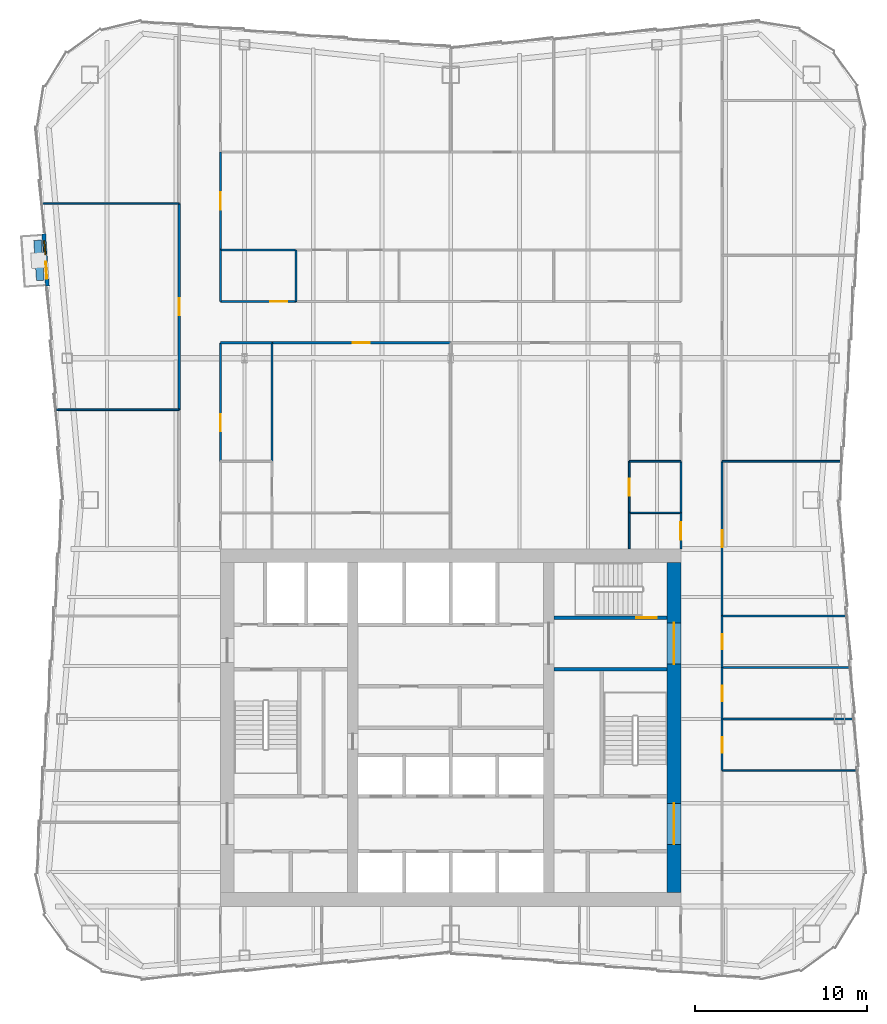
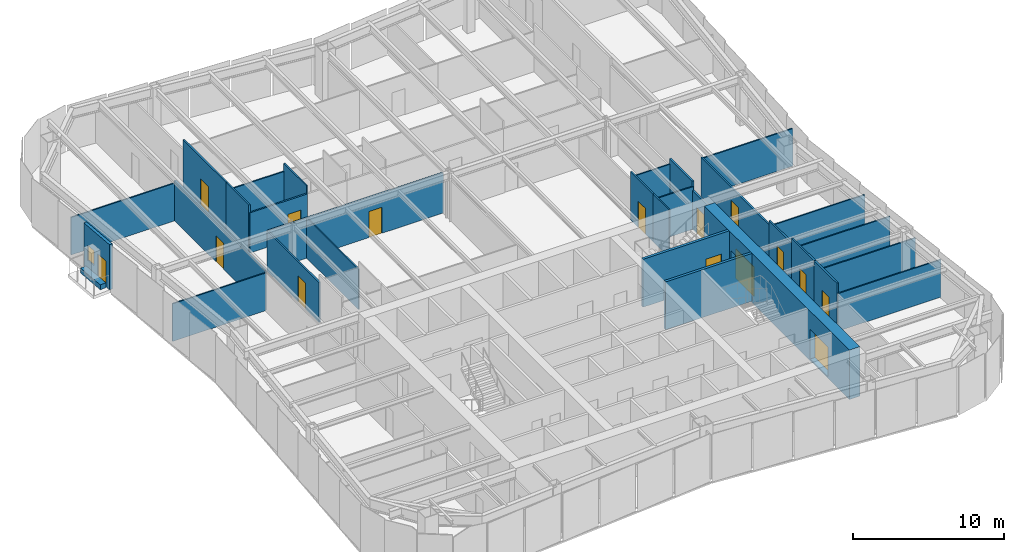
# One storey, part 8 of 12: 32 walls, 15 doors, 1 window, 16 openings.
"""IFC4 building model written with IfcOpenShell, lengths in metres."""

from ifc_helpers import new_model, si_unit, direction, frame, frame_2d, origin, place, context, subcontext, project, spatial, rectangle, extrude, material, layer, layer_set, type_object, element, fill, save


model = new_model("IFC4")

# Units and contexts
model_context = context("Model", 3, precision=1e-05, world=origin(), true_north=direction((0.0, 1.0)))
body_context = subcontext(model_context, "Body", "Model", "MODEL_VIEW")
ifc_project = project(units=[si_unit("LENGTHUNIT", "METRE"), si_unit("AREAUNIT", "SQUARE_METRE"), si_unit("VOLUMEUNIT", "CUBIC_METRE"), si_unit("PLANEANGLEUNIT", "RADIAN"), si_unit("MASSUNIT", "GRAM", prefix="KILO")], contexts=[model_context])

# Site, building, storey
site_placement = place(None, origin())
site = spatial("IfcSite", under=ifc_project, at=site_placement, CompositionType="ELEMENT")
building_placement = place(site_placement, origin())
building = spatial("IfcBuilding", under=site, at=building_placement, Name="Verdant Reach Tower", CompositionType="ELEMENT")
storey_placement = place(building_placement, frame((0.0, 0.0, 246.0)))
storey = spatial("IfcBuildingStorey", under=building, at=storey_placement, Name="L56", CompositionType="ELEMENT", Elevation=246.0)

# Wall
ifc_material_1 = material(Name="Concrete C40/50", Category="concrete")
ifc_layer_1 = layer(ifc_material_1, 0.199951171875)
ifc_layer_set_1 = layer_set([ifc_layer_1], Name="CO-WALL-STAIR")
wall_type_1 = type_object("IfcWallType", Name="CO-WALL-STAIR", PredefinedType="PARTITIONING", material=ifc_layer_set_1)
wall_1_placement = place(storey_placement, frame((6.0, 31.39990234375, 0.0), z_axis=(0.0, 0.0, 1.0), x_axis=(1.0, 0.0, 0.0)))
element("IfcWall", 1, at=wall_1_placement, inside=storey, type_object=wall_type_1, Name="Stair enclosure wall, L56", PredefinedType="PARTITIONING", context=body_context, shape_type="SweptSolid", body=[
    extrude(rectangle(XDim=6.60009765625, YDim=0.199951171875, at=frame_2d((3.300048828125, 0.0))), origin(), (0.0, 0.0, 1.0), 3.8701171875),
])

# Wall, opening, door
wall_2_placement = place(storey_placement, frame((6.0, 34.39990234375, 0.0), z_axis=(0.0, 0.0, 1.0), x_axis=(1.0, 0.0, 0.0)))
wall_2 = element("IfcWall", 2, at=wall_2_placement, inside=storey, type_object=wall_type_1, Name="Stair enclosure wall, L56", PredefinedType="PARTITIONING", context=body_context, shape_type="SweptSolid", body=[
    extrude(rectangle(XDim=6.60009765625, YDim=0.199951171875, at=frame_2d((3.300048828125, 0.0))), origin(), (0.0, 0.0, 1.0), 3.8701171875),
])
opening_1_placement = place(wall_2_placement, frame((4.800048828125, 0.0, 0.0)))
opening_1 = element("IfcOpeningElement", 3, at=opening_1_placement, cuts=wall_2, Name="Opening SD", PredefinedType="OPENING", context=body_context, shape_type="SweptSolid", body=[
    extrude(rectangle(XDim=1.199951171875, YDim=2.199951171875, at=frame_2d((0.60009765625, 1.10009765625))), frame((0.0, 0.10986328125, 0.0), z_axis=(0.0, -1.0, 0.0), x_axis=(1.0, 0.0, 0.0)), (0.0, 0.0, 1.0), 0.219970703125),
])
ifc_material_2 = material(Name="Steel", Category="steel")
door_type_1 = type_object("IfcDoorType", Name="CO-DOOR-STAIR", OperationType="NOTDEFINED", PredefinedType="DOOR", material=ifc_material_2)
door_1_placement = place(opening_1_placement, origin())
door_1 = element("IfcDoor", 4, at=door_1_placement, inside=storey, type_object=door_type_1, Name="Stair door, L56", OperationType="SINGLE_SWING_RIGHT", OverallHeight=2.199951171875, OverallWidth=1.199951171875, PredefinedType="DOOR", context=body_context, shape_type="SweptSolid", body=[
    extrude(rectangle(XDim=1.199951171875, YDim=2.199951171875, at=frame_2d((0.60009765625, 1.10009765625))), frame((0.0, 0.02490234375, 0.0), z_axis=(0.0, -1.0, 0.0), x_axis=(1.0, 0.0, 0.0)), (0.0, 0.0, 1.0), 0.050048828125),
])
fill(opening_1, door_1)

# Wall, openings, door, window
ifc_material_3 = material(Name="Insulated bronze aluminium panel wall", Category="aluminium")
ifc_layer_2 = layer(ifc_material_3, 0.219970703125)
ifc_layer_set_2 = layer_set([ifc_layer_2], Name="EN-INFILL WALL")
wall_type_2 = type_object("IfcWallType", Name="EN-INFILL WALL", PredefinedType="SOLIDWALL", material=ifc_layer_set_2)
wall_3_placement = place(storey_placement, frame((-23.680908203125, 56.744140625, 0.0), z_axis=(0.0, 0.0, 1.0), x_axis=(0.068837845086, -0.997627862023, 0.0)))
wall_3 = element("IfcWall", 5, at=wall_3_placement, inside=storey, type_object=wall_type_2, Name="External infill wall, balcony bay 1, L56", PredefinedType="SOLIDWALL", context=body_context, shape_type="SweptSolid", body=[
    extrude(rectangle(XDim=3.046630859375, YDim=0.22412109375, at=frame_2d((1.5234375, 0.0))), origin(), (0.0, 0.0, 1.0), 3.64990234375),
])
opening_2_placement = place(wall_3_placement, frame((1.631103515625, 0.0, 0.0)))
opening_2 = element("IfcOpeningElement", 6, at=opening_2_placement, cuts=wall_3, Name="Opening BD1", PredefinedType="OPENING", context=body_context, shape_type="SweptSolid", body=[
    extrude(rectangle(XDim=1.0, YDim=2.10009765625, at=frame_2d((0.5, 1.050048828125))), frame((0.0, 0.1220703125, 0.0), z_axis=(0.0, -1.0, 0.0), x_axis=(1.0, 0.0, 0.0)), (0.0, 0.0, 1.0), 0.244140625),
])
opening_3_placement = place(wall_3_placement, frame((0.41552734375, 0.0, 0.89990234375)))
opening_3 = element("IfcOpeningElement", 7, at=opening_3_placement, cuts=wall_3, Name="Opening BW1", PredefinedType="OPENING", context=body_context, shape_type="SweptSolid", body=[
    extrude(rectangle(XDim=0.800048828125, YDim=1.199951171875, at=frame_2d((0.39990234375, 0.60009765625))), frame((0.0, 0.1220703125, 0.0), z_axis=(0.0, -1.0, 0.0), x_axis=(1.0, 0.0, 0.0)), (0.0, 0.0, 1.0), 0.244140625),
])
ifc_material_4 = material(Name="Aluminium framed glazed door", Category="aluminium")
door_type_2 = type_object("IfcDoorType", Name="EN-DOOR BALCONY", OperationType="NOTDEFINED", PredefinedType="DOOR", material=ifc_material_4)
door_2_placement = place(opening_2_placement, origin())
door_2 = element("IfcDoor", 8, at=door_2_placement, inside=storey, type_object=door_type_2, Name="Balcony door 1, L56", OperationType="SINGLE_SWING_RIGHT", OverallHeight=2.10009765625, OverallWidth=1.0, PredefinedType="DOOR", context=body_context, shape_type="SweptSolid", body=[
    extrude(rectangle(XDim=1.0, YDim=2.10009765625, at=frame_2d((0.5, 1.050048828125))), frame((0.0, 0.02490234375, 0.0), z_axis=(0.0, -1.0, 0.0), x_axis=(1.0, 0.0, 0.0)), (0.0, 0.0, 1.0), 0.050048828125),
])
fill(opening_2, door_2)
ifc_material_5 = material(Name="Aluminium framed glazing", Category="aluminium")
window_type = type_object("IfcWindowType", Name="EN-WINDOW BALCONY", PartitioningType="SINGLE_PANEL", PredefinedType="WINDOW", material=ifc_material_5)
window_placement = place(opening_3_placement, origin())
window = element("IfcWindow", 9, at=window_placement, inside=storey, type_object=window_type, Name="Balcony window 1, L56", OverallHeight=1.199951171875, OverallWidth=0.800048828125, PartitioningType="SINGLE_PANEL", PredefinedType="WINDOW", context=body_context, shape_type="SweptSolid", body=[
    extrude(rectangle(XDim=0.800048828125, YDim=1.199951171875, at=frame_2d((0.39990234375, 0.60009765625))), frame((0.0, 0.030029296875, 0.0), z_axis=(0.0, -1.0, 0.0), x_axis=(1.0, 0.0, 0.0)), (0.0, 0.0, 1.0), 0.06005859375),
])
fill(opening_3, window)

# Walls
ifc_material_6 = material(Name="Precast concrete C30/37", Category="concrete")
ifc_layer_3 = layer(ifc_material_6, 0.449951171875)
ifc_layer_set_3 = layer_set([ifc_layer_3], Name="EN-PLANTER")
wall_type_3 = type_object("IfcWallType", Name="EN-PLANTER", PredefinedType="USERDEFINED", material=ifc_layer_set_3)
wall_4_placement = place(storey_placement, frame((-24.042724609375, 56.368408203125, 0.0), z_axis=(0.0, 0.0, 1.0), x_axis=(0.068769956374, -0.997632544127, 0.0)))
element("IfcWall", 10, at=wall_4_placement, inside=storey, type_object=wall_type_3, Name="Balcony planter 1, L56", ObjectType="PLANTER", PredefinedType="USERDEFINED", context=body_context, shape_type="SweptSolid", body=[
    extrude(rectangle(XDim=2.3466796875, YDim=0.449951171875, at=frame_2d((1.17333984375, 0.0))), origin(), (0.0, 0.0, 1.0), 0.39990234375),
])
ifc_material_7 = material(Name="Gypsum board on steel studs", Category="steel")
ifc_layer_4 = layer(ifc_material_7, 0.10009765625)
ifc_layer_set_4 = layer_set([ifc_layer_4], Name="FL-W1 Partition 100")
wall_type_4 = type_object("IfcWallType", Name="FL-W1 Partition 100", PredefinedType="PARTITIONING", material=ifc_layer_set_4)
wall_5_placement = place(storey_placement, frame((-15.800048828125, 46.5, 0.0), z_axis=(0.0, 0.0, 1.0), x_axis=(-1.0, 0.0, 0.0)))
element("IfcWall", 11, at=wall_5_placement, inside=storey, type_object=wall_type_4, Name="Partition 56.41", PredefinedType="PARTITIONING", context=body_context, shape_type="SweptSolid", body=[
    extrude(rectangle(XDim=7.14208984375, YDim=0.10009765625, at=frame_2d((3.571044921875, 0.0))), origin(), (0.0, 0.0, 1.0), 3.0400390625),
])
wall_6_placement = place(storey_placement, frame((-15.800048828125, 58.5, 0.0), z_axis=(0.0, 0.0, 1.0), x_axis=(-1.0, 0.0, 0.0)))
element("IfcWall", 12, at=wall_6_placement, inside=storey, type_object=wall_type_4, Name="Partition 56.42", PredefinedType="PARTITIONING", context=body_context, shape_type="SweptSolid", body=[
    extrude(rectangle(XDim=7.9697265625, YDim=0.10009765625, at=frame_2d((3.98486328125, 0.0))), origin(), (0.0, 0.0, 1.0), 3.0400390625),
])
wall_7_placement = place(storey_placement, frame((23.666259765625, 25.5, 0.0), z_axis=(0.0, 0.0, 1.0), x_axis=(-1.0, 0.0, 0.0)))
element("IfcWall", 13, at=wall_7_placement, inside=storey, type_object=wall_type_4, Name="Partition 56.43", PredefinedType="PARTITIONING", context=body_context, shape_type="SweptSolid", body=[
    extrude(rectangle(XDim=7.8662109375, YDim=0.10009765625, at=frame_2d((3.93310546875, 0.0))), origin(), (0.0, 0.0, 1.0), 3.0400390625),
])
wall_8_placement = place(storey_placement, frame((23.459228515625, 28.5, 0.0), z_axis=(0.0, 0.0, 1.0), x_axis=(-1.0, 0.0, 0.0)))
element("IfcWall", 14, at=wall_8_placement, inside=storey, type_object=wall_type_4, Name="Partition 56.44", PredefinedType="PARTITIONING", context=body_context, shape_type="SweptSolid", body=[
    extrude(rectangle(XDim=7.6591796875, YDim=0.10009765625, at=frame_2d((3.82958984375, 0.0))), origin(), (0.0, 0.0, 1.0), 3.0400390625),
])
wall_9_placement = place(storey_placement, frame((23.25244140625, 31.5, 0.0), z_axis=(0.0, 0.0, 1.0), x_axis=(-1.0, 0.0, 0.0)))
element("IfcWall", 15, at=wall_9_placement, inside=storey, type_object=wall_type_4, Name="Partition 56.45", PredefinedType="PARTITIONING", context=body_context, shape_type="SweptSolid", body=[
    extrude(rectangle(XDim=7.452392578125, YDim=0.10009765625, at=frame_2d((3.72607421875, 0.0))), origin(), (0.0, 0.0, 1.0), 3.0400390625),
])
wall_10_placement = place(storey_placement, frame((23.04541015625, 34.5, 0.0), z_axis=(0.0, 0.0, 1.0), x_axis=(-1.0, 0.0, 0.0)))
element("IfcWall", 16, at=wall_10_placement, inside=storey, type_object=wall_type_4, Name="Partition 56.46", PredefinedType="PARTITIONING", context=body_context, shape_type="SweptSolid", body=[
    extrude(rectangle(XDim=7.245361328125, YDim=0.10009765625, at=frame_2d((3.62255859375, 0.0))), origin(), (0.0, 0.0, 1.0), 3.0400390625),
])
wall_11_placement = place(storey_placement, frame((22.735107421875, 43.5, 0.0), z_axis=(0.0, 0.0, 1.0), x_axis=(-1.0, 0.0, 0.0)))
element("IfcWall", 17, at=wall_11_placement, inside=storey, type_object=wall_type_4, Name="Partition 56.47", PredefinedType="PARTITIONING", context=body_context, shape_type="SweptSolid", body=[
    extrude(rectangle(XDim=6.93505859375, YDim=0.10009765625, at=frame_2d((3.467529296875, 0.0))), origin(), (0.0, 0.0, 1.0), 3.0400390625),
])
wall_12_placement = place(storey_placement, frame((-10.39990234375, 43.49609375, 0.0), z_axis=(0.0, 0.0, 1.0), x_axis=(0.0, 1.0, 0.0)))
element("IfcWall", 18, at=wall_12_placement, inside=storey, type_object=wall_type_4, Name="Partition 56.57", PredefinedType="PARTITIONING", context=body_context, shape_type="SweptSolid", body=[
    extrude(rectangle(XDim=6.90380859375, YDim=0.10009765625, at=frame_2d((3.451904296875, 0.0))), origin(), (0.0, 0.0, 1.0), 3.239990234375),
])
wall_13_placement = place(storey_placement, frame((13.39990234375, 40.5, 0.0), z_axis=(0.0, 0.0, 1.0), x_axis=(-1.0, 0.0, 0.0)))
element("IfcWall", 19, at=wall_13_placement, inside=storey, type_object=wall_type_4, Name="Partition 56.61", PredefinedType="PARTITIONING", context=body_context, shape_type="SweptSolid", body=[
    extrude(rectangle(XDim=3.0, YDim=0.10009765625, at=frame_2d((1.5, 0.0))), origin(), (0.0, 0.0, 1.0), 3.43994140625),
])
wall_14_placement = place(storey_placement, frame((10.39990234375, 40.50390625, 0.0), z_axis=(0.0, 0.0, 1.0), x_axis=(0.0, -1.0, 0.0)))
element("IfcWall", 20, at=wall_14_placement, inside=storey, type_object=wall_type_4, Name="Partition 56.62", PredefinedType="PARTITIONING", context=body_context, shape_type="SweptSolid", body=[
    extrude(rectangle(XDim=2.10400390625, YDim=0.10009765625, at=frame_2d((1.052001953125, 0.0))), origin(), (0.0, 0.0, 1.0), 3.8701171875),
])
wall_15_placement = place(storey_placement, frame((13.39990234375, 43.5, 0.0), z_axis=(0.0, 0.0, 1.0), x_axis=(-1.0, 0.0, 0.0)))
element("IfcWall", 21, at=wall_15_placement, inside=storey, type_object=wall_type_4, Name="Partition 56.63", PredefinedType="PARTITIONING", context=body_context, shape_type="SweptSolid", body=[
    extrude(rectangle(XDim=3.0, YDim=0.10009765625, at=frame_2d((1.5, 0.0))), origin(), (0.0, 0.0, 1.0), 3.43994140625),
])

# Wall, opening, door
wall_16_placement = place(storey_placement, frame((10.39990234375, 43.50390625, 0.0), z_axis=(0.0, 0.0, 1.0), x_axis=(0.0, -1.0, 0.0)))
wall_16 = element("IfcWall", 22, at=wall_16_placement, inside=storey, type_object=wall_type_4, Name="Partition 56.64", PredefinedType="PARTITIONING", context=body_context, shape_type="SweptSolid", body=[
    extrude(rectangle(XDim=3.0078125, YDim=0.10009765625, at=frame_2d((1.50390625, 0.0))), origin(), (0.0, 0.0, 1.0), 3.8701171875),
])
opening_4_placement = place(wall_16_placement, frame((1.00390625, 0.0, 0.0)))
opening_4 = element("IfcOpeningElement", 23, at=opening_4_placement, cuts=wall_16, Name="Opening D3", PredefinedType="OPENING", context=body_context, shape_type="SweptSolid", body=[
    extrude(rectangle(XDim=1.0, YDim=2.10009765625, at=frame_2d((0.5, 1.050048828125))), frame((0.0, 0.06005859375, 0.0), z_axis=(0.0, -1.0, 0.0), x_axis=(1.0, 0.0, 0.0)), (0.0, 0.0, 1.0), 0.1201171875),
])
ifc_material_8 = material(Name="Painted timber door leaf", Category="wood")
door_type_3 = type_object("IfcDoorType", Name="FL-D3 Door 1000x2100", OperationType="NOTDEFINED", PredefinedType="DOOR", material=ifc_material_8)
door_3_placement = place(opening_4_placement, origin())
door_3 = element("IfcDoor", 24, at=door_3_placement, inside=storey, type_object=door_type_3, Name="Door 56-033", OperationType="SINGLE_SWING_LEFT", OverallHeight=2.10009765625, OverallWidth=1.0, PredefinedType="DOOR", context=body_context, shape_type="SweptSolid", body=[
    extrude(rectangle(XDim=1.0, YDim=2.10009765625, at=frame_2d((0.5, 1.050048828125))), frame((0.0, 0.02490234375, 0.0), z_axis=(0.0, -1.0, 0.0), x_axis=(1.0, 0.0, 0.0)), (0.0, 0.0, 1.0), 0.050048828125),
])
fill(opening_4, door_3)

# Walls
wall_17_placement = place(storey_placement, frame((-9.0, 52.800048828125, 0.0), z_axis=(0.0, 0.0, 1.0), x_axis=(0.0, 1.0, 0.0)))
element("IfcWall", 25, at=wall_17_placement, inside=storey, type_object=wall_type_4, Name="Partition 56.66", PredefinedType="PARTITIONING", context=body_context, shape_type="SweptSolid", body=[
    extrude(rectangle(XDim=3.0, YDim=0.10009765625, at=frame_2d((1.5, 0.0))), origin(), (0.0, 0.0, 1.0), 3.8701171875),
])
wall_18_placement = place(storey_placement, frame((-8.99609375, 55.800048828125, 0.0), z_axis=(0.0, 0.0, 1.0), x_axis=(-1.0, 0.0, 0.0)))
element("IfcWall", 26, at=wall_18_placement, inside=storey, type_object=wall_type_4, Name="Partition 56.67", PredefinedType="PARTITIONING", context=body_context, shape_type="SweptSolid", body=[
    extrude(rectangle(XDim=4.40380859375, YDim=0.10009765625, at=frame_2d((2.201904296875, 0.0))), origin(), (0.0, 0.0, 1.0), 3.239990234375),
])

# Wall, opening, door
ifc_material_9 = material(Name="Gypsum board on steel studs, fire rated", Category="steel")
ifc_layer_5 = layer(ifc_material_9, 0.125)
ifc_layer_set_5 = layer_set([ifc_layer_5], Name="FL-W2 Corridor wall 125")
wall_type_5 = type_object("IfcWallType", Name="FL-W2 Corridor wall 125", PredefinedType="PARTITIONING", material=ifc_layer_set_5)
wall_19_placement = place(storey_placement, frame((-15.800048828125, 46.5, 0.0), z_axis=(0.0, 0.0, 1.0), x_axis=(0.0, 1.0, 0.0)))
wall_19 = element("IfcWall", 27, at=wall_19_placement, inside=storey, type_object=wall_type_5, Name="Partition 56.05", PredefinedType="PARTITIONING", context=body_context, shape_type="SweptSolid", body=[
    extrude(rectangle(XDim=12.0, YDim=0.125, at=frame_2d((6.0, 0.0))), origin(), (0.0, 0.0, 1.0), 3.239990234375),
])
opening_5_placement = place(wall_19_placement, frame((5.5, 0.0, 0.0)))
opening_5 = element("IfcOpeningElement", 28, at=opening_5_placement, cuts=wall_19, Name="Opening D2", PredefinedType="OPENING", context=body_context, shape_type="SweptSolid", body=[
    extrude(rectangle(XDim=1.0, YDim=2.10009765625, at=frame_2d((0.5, 1.050048828125))), frame((0.0, 0.072509765625, 0.0), z_axis=(0.0, -1.0, 0.0), x_axis=(1.0, 0.0, 0.0)), (0.0, 0.0, 1.0), 0.14501953125),
])
ifc_material_10 = material(Name="Timber door leaf, fire rated", Category="wood")
door_type_4 = type_object("IfcDoorType", Name="FL-D2 Entrance door 1000x2100 FD30", OperationType="NOTDEFINED", PredefinedType="DOOR", material=ifc_material_10)
door_4_placement = place(opening_5_placement, origin())
door_4 = element("IfcDoor", 29, at=door_4_placement, inside=storey, type_object=door_type_4, Name="Door 56-005", OperationType="SINGLE_SWING_LEFT", OverallHeight=2.10009765625, OverallWidth=1.0, PredefinedType="DOOR", context=body_context, shape_type="SweptSolid", body=[
    extrude(rectangle(XDim=1.0, YDim=2.10009765625, at=frame_2d((0.5, 1.050048828125))), frame((0.0, 0.02490234375, 0.0), z_axis=(0.0, -1.0, 0.0), x_axis=(1.0, 0.0, 0.0)), (0.0, 0.0, 1.0), 0.050048828125),
])
fill(opening_5, door_4)

wall_20_placement = place(storey_placement, frame((15.800048828125, 28.5, 0.0), z_axis=(0.0, 0.0, 1.0), x_axis=(0.0, -1.0, 0.0)))
wall_20 = element("IfcWall", 30, at=wall_20_placement, inside=storey, type_object=wall_type_5, Name="Partition 56.08", PredefinedType="PARTITIONING", context=body_context, shape_type="SweptSolid", body=[
    extrude(rectangle(XDim=3.0, YDim=0.125, at=frame_2d((1.5, 0.0))), origin(), (0.0, 0.0, 1.0), 3.8701171875),
])
opening_6_placement = place(wall_20_placement, frame((1.050048828125, 0.0, 0.0)))
opening_6 = element("IfcOpeningElement", 31, at=opening_6_placement, cuts=wall_20, Name="Opening D1", PredefinedType="OPENING", context=body_context, shape_type="SweptSolid", body=[
    extrude(rectangle(XDim=0.89990234375, YDim=2.10009765625, at=frame_2d((0.449951171875, 1.050048828125))), frame((0.0, 0.072509765625, 0.0), z_axis=(0.0, -1.0, 0.0), x_axis=(1.0, 0.0, 0.0)), (0.0, 0.0, 1.0), 0.14501953125),
])
door_type_5 = type_object("IfcDoorType", Name="FL-D1 Door 900x2100", OperationType="NOTDEFINED", PredefinedType="DOOR", material=ifc_material_8)
door_5_placement = place(opening_6_placement, origin())
door_5 = element("IfcDoor", 32, at=door_5_placement, inside=storey, type_object=door_type_5, Name="Door 56-008", OperationType="SINGLE_SWING_RIGHT", OverallHeight=2.10009765625, OverallWidth=0.89990234375, PredefinedType="DOOR", context=body_context, shape_type="SweptSolid", body=[
    extrude(rectangle(XDim=0.89990234375, YDim=2.10009765625, at=frame_2d((0.449951171875, 1.050048828125))), frame((0.0, 0.02490234375, 0.0), z_axis=(0.0, -1.0, 0.0), x_axis=(1.0, 0.0, 0.0)), (0.0, 0.0, 1.0), 0.050048828125),
])
fill(opening_6, door_5)

wall_21_placement = place(storey_placement, frame((15.800048828125, 31.5, 0.0), z_axis=(0.0, 0.0, 1.0), x_axis=(0.0, -1.0, 0.0)))
wall_21 = element("IfcWall", 33, at=wall_21_placement, inside=storey, type_object=wall_type_5, Name="Partition 56.09", PredefinedType="PARTITIONING", context=body_context, shape_type="SweptSolid", body=[
    extrude(rectangle(XDim=3.0, YDim=0.125, at=frame_2d((1.5, 0.0))), origin(), (0.0, 0.0, 1.0), 3.8701171875),
])
opening_7_placement = place(wall_21_placement, frame((1.050048828125, 0.0, 0.0)))
opening_7 = element("IfcOpeningElement", 34, at=opening_7_placement, cuts=wall_21, Name="Opening D1", PredefinedType="OPENING", context=body_context, shape_type="SweptSolid", body=[
    extrude(rectangle(XDim=0.89990234375, YDim=2.10009765625, at=frame_2d((0.449951171875, 1.050048828125))), frame((0.0, 0.072509765625, 0.0), z_axis=(0.0, -1.0, 0.0), x_axis=(1.0, 0.0, 0.0)), (0.0, 0.0, 1.0), 0.14501953125),
])
door_6_placement = place(opening_7_placement, origin())
door_6 = element("IfcDoor", 35, at=door_6_placement, inside=storey, type_object=door_type_5, Name="Door 56-009", OperationType="SINGLE_SWING_LEFT", OverallHeight=2.10009765625, OverallWidth=0.89990234375, PredefinedType="DOOR", context=body_context, shape_type="SweptSolid", body=[
    extrude(rectangle(XDim=0.89990234375, YDim=2.10009765625, at=frame_2d((0.449951171875, 1.050048828125))), frame((0.0, 0.02490234375, 0.0), z_axis=(0.0, -1.0, 0.0), x_axis=(1.0, 0.0, 0.0)), (0.0, 0.0, 1.0), 0.050048828125),
])
fill(opening_7, door_6)

wall_22_placement = place(storey_placement, frame((15.800048828125, 34.5, 0.0), z_axis=(0.0, 0.0, 1.0), x_axis=(0.0, -1.0, 0.0)))
wall_22 = element("IfcWall", 36, at=wall_22_placement, inside=storey, type_object=wall_type_5, Name="Partition 56.10", PredefinedType="PARTITIONING", context=body_context, shape_type="SweptSolid", body=[
    extrude(rectangle(XDim=3.0, YDim=0.125, at=frame_2d((1.5, 0.0))), origin(), (0.0, 0.0, 1.0), 3.47998046875),
])
opening_8_placement = place(wall_22_placement, frame((1.050048828125, 0.0, 0.0)))
opening_8 = element("IfcOpeningElement", 37, at=opening_8_placement, cuts=wall_22, Name="Opening D1", PredefinedType="OPENING", context=body_context, shape_type="SweptSolid", body=[
    extrude(rectangle(XDim=0.89990234375, YDim=2.10009765625, at=frame_2d((0.449951171875, 1.050048828125))), frame((0.0, 0.072509765625, 0.0), z_axis=(0.0, -1.0, 0.0), x_axis=(1.0, 0.0, 0.0)), (0.0, 0.0, 1.0), 0.14501953125),
])
door_7_placement = place(opening_8_placement, origin())
door_7 = element("IfcDoor", 38, at=door_7_placement, inside=storey, type_object=door_type_5, Name="Door 56-010", OperationType="SINGLE_SWING_RIGHT", OverallHeight=2.10009765625, OverallWidth=0.89990234375, PredefinedType="DOOR", context=body_context, shape_type="SweptSolid", body=[
    extrude(rectangle(XDim=0.89990234375, YDim=2.10009765625, at=frame_2d((0.449951171875, 1.050048828125))), frame((0.0, 0.02490234375, 0.0), z_axis=(0.0, -1.0, 0.0), x_axis=(1.0, 0.0, 0.0)), (0.0, 0.0, 1.0), 0.050048828125),
])
fill(opening_8, door_7)

wall_23_placement = place(storey_placement, frame((15.800048828125, 43.5, 0.0), z_axis=(0.0, 0.0, 1.0), x_axis=(0.0, -1.0, 0.0)))
wall_23 = element("IfcWall", 39, at=wall_23_placement, inside=storey, type_object=wall_type_5, Name="Partition 56.11", PredefinedType="PARTITIONING", context=body_context, shape_type="SweptSolid", body=[
    extrude(rectangle(XDim=9.0, YDim=0.125, at=frame_2d((4.5, 0.0))), origin(), (0.0, 0.0, 1.0), 3.139892578125),
])
opening_9_placement = place(wall_23_placement, frame((4.0, 0.0, 0.0)))
opening_9 = element("IfcOpeningElement", 40, at=opening_9_placement, cuts=wall_23, Name="Opening D2", PredefinedType="OPENING", context=body_context, shape_type="SweptSolid", body=[
    extrude(rectangle(XDim=1.0, YDim=2.10009765625, at=frame_2d((0.5, 1.050048828125))), frame((0.0, 0.072509765625, 0.0), z_axis=(0.0, -1.0, 0.0), x_axis=(1.0, 0.0, 0.0)), (0.0, 0.0, 1.0), 0.14501953125),
])
door_8_placement = place(opening_9_placement, origin())
door_8 = element("IfcDoor", 41, at=door_8_placement, inside=storey, type_object=door_type_4, Name="Door 56-011", OperationType="SINGLE_SWING_LEFT", OverallHeight=2.10009765625, OverallWidth=1.0, PredefinedType="DOOR", context=body_context, shape_type="SweptSolid", body=[
    extrude(rectangle(XDim=1.0, YDim=2.10009765625, at=frame_2d((0.5, 1.050048828125))), frame((0.0, 0.02490234375, 0.0), z_axis=(0.0, -1.0, 0.0), x_axis=(1.0, 0.0, 0.0)), (0.0, 0.0, 1.0), 0.050048828125),
])
fill(opening_9, door_8)

wall_24_placement = place(storey_placement, frame((-13.39990234375, 50.39990234375, 0.0), z_axis=(0.0, 0.0, 1.0), x_axis=(0.0, -1.0, 0.0)))
wall_24 = element("IfcWall", 42, at=wall_24_placement, inside=storey, type_object=wall_type_5, Name="Partition 56.19", PredefinedType="PARTITIONING", context=body_context, shape_type="SweptSolid", body=[
    extrude(rectangle(XDim=6.89990234375, YDim=0.125, at=frame_2d((3.449951171875, 0.0))), origin(), (0.0, 0.0, 1.0), 3.239990234375),
])
opening_10_placement = place(wall_24_placement, frame((4.14990234375, 0.0, 0.0)))
opening_10 = element("IfcOpeningElement", 43, at=opening_10_placement, cuts=wall_24, Name="Opening D2", PredefinedType="OPENING", context=body_context, shape_type="SweptSolid", body=[
    extrude(rectangle(XDim=1.0, YDim=2.10009765625, at=frame_2d((0.5, 1.050048828125))), frame((0.0, 0.072509765625, 0.0), z_axis=(0.0, -1.0, 0.0), x_axis=(1.0, 0.0, 0.0)), (0.0, 0.0, 1.0), 0.14501953125),
])
door_9_placement = place(opening_10_placement, origin())
door_9 = element("IfcDoor", 44, at=door_9_placement, inside=storey, type_object=door_type_4, Name="Door 56-018", OperationType="SINGLE_SWING_RIGHT", OverallHeight=2.10009765625, OverallWidth=1.0, PredefinedType="DOOR", context=body_context, shape_type="SweptSolid", body=[
    extrude(rectangle(XDim=1.0, YDim=2.10009765625, at=frame_2d((0.5, 1.050048828125))), frame((0.0, 0.02490234375, 0.0), z_axis=(0.0, -1.0, 0.0), x_axis=(1.0, 0.0, 0.0)), (0.0, 0.0, 1.0), 0.050048828125),
])
fill(opening_10, door_9)

# Wall
wall_25_placement = place(storey_placement, frame((-10.39990234375, 50.39990234375, 0.0), z_axis=(0.0, 0.0, 1.0), x_axis=(-1.0, 0.0, 0.0)))
element("IfcWall", 45, at=wall_25_placement, inside=storey, type_object=wall_type_5, Name="Partition 56.20", PredefinedType="PARTITIONING", context=body_context, shape_type="SweptSolid", body=[
    extrude(rectangle(XDim=3.0, YDim=0.125, at=frame_2d((1.5, 0.0))), origin(), (0.0, 0.0, 1.0), 3.239990234375),
])

# Wall, opening, door
wall_26_placement = place(storey_placement, frame((0.0, 50.39990234375, 0.0), z_axis=(0.0, 0.0, 1.0), x_axis=(-1.0, 0.0, 0.0)))
wall_26 = element("IfcWall", 46, at=wall_26_placement, inside=storey, type_object=wall_type_5, Name="Partition 56.21", PredefinedType="PARTITIONING", context=body_context, shape_type="SweptSolid", body=[
    extrude(rectangle(XDim=10.39990234375, YDim=0.125, at=frame_2d((5.199951171875, 0.0))), origin(), (0.0, 0.0, 1.0), 3.239990234375),
])
opening_11_placement = place(wall_26_placement, frame((4.699951171875, 0.0, 0.0)))
opening_11 = element("IfcOpeningElement", 47, at=opening_11_placement, cuts=wall_26, Name="Opening D2", PredefinedType="OPENING", context=body_context, shape_type="SweptSolid", body=[
    extrude(rectangle(XDim=1.0, YDim=2.10009765625, at=frame_2d((0.5, 1.050048828125))), frame((0.0, 0.072509765625, 0.0), z_axis=(0.0, -1.0, 0.0), x_axis=(1.0, 0.0, 0.0)), (0.0, 0.0, 1.0), 0.14501953125),
])
door_10_placement = place(opening_11_placement, origin())
door_10 = element("IfcDoor", 48, at=door_10_placement, inside=storey, type_object=door_type_4, Name="Door 56-019", OperationType="SINGLE_SWING_LEFT", OverallHeight=2.10009765625, OverallWidth=1.0, PredefinedType="DOOR", context=body_context, shape_type="SweptSolid", body=[
    extrude(rectangle(XDim=1.0, YDim=2.10009765625, at=frame_2d((0.5, 1.050048828125))), frame((0.0, 0.02490234375, 0.0), z_axis=(0.0, -1.0, 0.0), x_axis=(1.0, 0.0, 0.0)), (0.0, 0.0, 1.0), 0.050048828125),
])
fill(opening_11, door_10)

wall_27_placement = place(storey_placement, frame((13.39990234375, 38.39990234375, 0.0), z_axis=(0.0, 0.0, 1.0), x_axis=(0.0, 1.0, 0.0)))
wall_27 = element("IfcWall", 49, at=wall_27_placement, inside=storey, type_object=wall_type_5, Name="Partition 56.22", PredefinedType="PARTITIONING", context=body_context, shape_type="SweptSolid", body=[
    extrude(rectangle(XDim=2.10009765625, YDim=0.125, at=frame_2d((1.050048828125, 0.0))), origin(), (0.0, 0.0, 1.0), 3.139892578125),
])
opening_12_placement = place(wall_27_placement, frame((0.550048828125, 0.0, 0.0)))
opening_12 = element("IfcOpeningElement", 50, at=opening_12_placement, cuts=wall_27, Name="Opening D2", PredefinedType="OPENING", context=body_context, shape_type="SweptSolid", body=[
    extrude(rectangle(XDim=1.0, YDim=2.10009765625, at=frame_2d((0.5, 1.050048828125))), frame((0.0, 0.072509765625, 0.0), z_axis=(0.0, -1.0, 0.0), x_axis=(1.0, 0.0, 0.0)), (0.0, 0.0, 1.0), 0.14501953125),
])
door_11_placement = place(opening_12_placement, origin())
door_11 = element("IfcDoor", 51, at=door_11_placement, inside=storey, type_object=door_type_4, Name="Door 56-020", OperationType="SINGLE_SWING_RIGHT", OverallHeight=2.10009765625, OverallWidth=1.0, PredefinedType="DOOR", context=body_context, shape_type="SweptSolid", body=[
    extrude(rectangle(XDim=1.0, YDim=2.10009765625, at=frame_2d((0.5, 1.050048828125))), frame((0.0, 0.02490234375, 0.0), z_axis=(0.0, -1.0, 0.0), x_axis=(1.0, 0.0, 0.0)), (0.0, 0.0, 1.0), 0.050048828125),
])
fill(opening_12, door_11)

# Wall
wall_28_placement = place(storey_placement, frame((13.39990234375, 40.5, 0.0), z_axis=(0.0, 0.0, 1.0), x_axis=(0.0, 1.0, 0.0)))
element("IfcWall", 52, at=wall_28_placement, inside=storey, type_object=wall_type_5, Name="Partition 56.23", PredefinedType="PARTITIONING", context=body_context, shape_type="SweptSolid", body=[
    extrude(rectangle(XDim=3.0, YDim=0.125, at=frame_2d((1.5, 0.0))), origin(), (0.0, 0.0, 1.0), 3.8701171875),
])

# Wall, opening, door
wall_29_placement = place(storey_placement, frame((-13.39990234375, 52.800048828125, 0.0), z_axis=(0.0, 0.0, 1.0), x_axis=(1.0, 0.0, 0.0)))
wall_29 = element("IfcWall", 53, at=wall_29_placement, inside=storey, type_object=wall_type_5, Name="Partition 56.27", PredefinedType="PARTITIONING", context=body_context, shape_type="SweptSolid", body=[
    extrude(rectangle(XDim=4.39990234375, YDim=0.125, at=frame_2d((2.199951171875, 0.0))), origin(), (0.0, 0.0, 1.0), 3.239990234375),
])
opening_13_placement = place(wall_29_placement, frame((2.89990234375, 0.0, 0.0)))
opening_13 = element("IfcOpeningElement", 54, at=opening_13_placement, cuts=wall_29, Name="Opening D2", PredefinedType="OPENING", context=body_context, shape_type="SweptSolid", body=[
    extrude(rectangle(XDim=1.0, YDim=2.10009765625, at=frame_2d((0.5, 1.050048828125))), frame((0.0, 0.072509765625, 0.0), z_axis=(0.0, -1.0, 0.0), x_axis=(1.0, 0.0, 0.0)), (0.0, 0.0, 1.0), 0.14501953125),
])
door_12_placement = place(opening_13_placement, origin())
door_12 = element("IfcDoor", 55, at=door_12_placement, inside=storey, type_object=door_type_4, Name="Door 56-023", OperationType="SINGLE_SWING_RIGHT", OverallHeight=2.10009765625, OverallWidth=1.0, PredefinedType="DOOR", context=body_context, shape_type="SweptSolid", body=[
    extrude(rectangle(XDim=1.0, YDim=2.10009765625, at=frame_2d((0.5, 1.050048828125))), frame((0.0, 0.02490234375, 0.0), z_axis=(0.0, -1.0, 0.0), x_axis=(1.0, 0.0, 0.0)), (0.0, 0.0, 1.0), 0.050048828125),
])
fill(opening_13, door_12)

# Wall
wall_30_placement = place(storey_placement, frame((-13.39990234375, 52.800048828125, 0.0), z_axis=(0.0, 0.0, 1.0), x_axis=(0.0, 1.0, 0.0)))
element("IfcWall", 56, at=wall_30_placement, inside=storey, type_object=wall_type_5, Name="Partition 56.28", PredefinedType="PARTITIONING", context=body_context, shape_type="SweptSolid", body=[
    extrude(rectangle(XDim=3.0, YDim=0.125, at=frame_2d((1.5, 0.0))), origin(), (0.0, 0.0, 1.0), 3.8701171875),
])

# Wall, opening, door
wall_31_placement = place(storey_placement, frame((-13.39990234375, 61.5, 0.0), z_axis=(0.0, 0.0, 1.0), x_axis=(0.0, -1.0, 0.0)))
wall_31 = element("IfcWall", 57, at=wall_31_placement, inside=storey, type_object=wall_type_5, Name="Partition 56.34", PredefinedType="PARTITIONING", context=body_context, shape_type="SweptSolid", body=[
    extrude(rectangle(XDim=5.699951171875, YDim=0.125, at=frame_2d((2.85009765625, 0.0))), origin(), (0.0, 0.0, 1.0), 3.8701171875),
])
opening_14_placement = place(wall_31_placement, frame((2.35009765625, 0.0, 0.0)))
opening_14 = element("IfcOpeningElement", 58, at=opening_14_placement, cuts=wall_31, Name="Opening D2", PredefinedType="OPENING", context=body_context, shape_type="SweptSolid", body=[
    extrude(rectangle(XDim=1.0, YDim=2.10009765625, at=frame_2d((0.5, 1.050048828125))), frame((0.0, 0.072509765625, 0.0), z_axis=(0.0, -1.0, 0.0), x_axis=(1.0, 0.0, 0.0)), (0.0, 0.0, 1.0), 0.14501953125),
])
door_13_placement = place(opening_14_placement, origin())
door_13 = element("IfcDoor", 59, at=door_13_placement, inside=storey, type_object=door_type_4, Name="Door 56-026", OperationType="SINGLE_SWING_RIGHT", OverallHeight=2.10009765625, OverallWidth=1.0, PredefinedType="DOOR", context=body_context, shape_type="SweptSolid", body=[
    extrude(rectangle(XDim=1.0, YDim=2.10009765625, at=frame_2d((0.5, 1.050048828125))), frame((0.0, 0.02490234375, 0.0), z_axis=(0.0, -1.0, 0.0), x_axis=(1.0, 0.0, 0.0)), (0.0, 0.0, 1.0), 0.050048828125),
])
fill(opening_14, door_13)

# Wall, openings, doors
ifc_material_11 = material(Name="Concrete C70/85", Category="concrete")
ifc_layer_6 = layer(ifc_material_11, 0.800048828125)
ifc_layer_set_6 = layer_set([ifc_layer_6], Name="ST-CORE-WALL-800")
wall_type_6 = type_object("IfcWallType", Name="ST-CORE-WALL-800", PredefinedType="SHEAR", material=ifc_layer_set_6)
wall_32_placement = place(storey_placement, frame((13.0, 18.39990234375, -0.1298828125), z_axis=(0.0, 0.0, 1.0), x_axis=(0.0, 1.0, 0.0)))
wall_32 = element("IfcWall", 60, at=wall_32_placement, inside=storey, type_object=wall_type_6, Name="Core wall E, L56", PredefinedType="SHEAR", context=body_context, shape_type="SweptSolid", body=[
    extrude(rectangle(XDim=19.2001953125, YDim=0.800048828125, at=frame_2d((9.60009765625, 0.0))), origin(), (0.0, 0.0, 1.0), 4.0),
])
opening_15_placement = place(wall_32_placement, frame((2.800048828125, 0.0, 0.1298828125)))
opening_15 = element("IfcOpeningElement", 61, at=opening_15_placement, cuts=wall_32, Name="Opening LB", PredefinedType="OPENING", context=body_context, shape_type="SweptSolid", body=[
    extrude(rectangle(XDim=2.39990234375, YDim=2.39990234375, at=frame_2d((1.199951171875, 1.199951171875))), frame((0.0, 0.409912109375, 0.0), z_axis=(0.0, -1.0, 0.0), x_axis=(1.0, 0.0, 0.0)), (0.0, 0.0, 1.0), 0.820068359375),
])
opening_16_placement = place(wall_32_placement, frame((13.300048828125, 0.0, 0.1298828125)))
opening_16 = element("IfcOpeningElement", 62, at=opening_16_placement, cuts=wall_32, Name="Opening LB", PredefinedType="OPENING", context=body_context, shape_type="SweptSolid", body=[
    extrude(rectangle(XDim=2.39990234375, YDim=2.39990234375, at=frame_2d((1.199951171875, 1.199951171875))), frame((0.0, 0.409912109375, 0.0), z_axis=(0.0, -1.0, 0.0), x_axis=(1.0, 0.0, 0.0)), (0.0, 0.0, 1.0), 0.820068359375),
])
ifc_material_12 = material(Name="Glass and steel", Category="steel")
door_type_6 = type_object("IfcDoorType", Name="CO-DOOR-LOBBY", OperationType="DOUBLE_DOOR_SINGLE_SWING", PredefinedType="DOOR", material=ifc_material_12)
door_14_placement = place(opening_15_placement, origin())
door_14 = element("IfcDoor", 63, at=door_14_placement, inside=storey, type_object=door_type_6, Name="Core entrance door, L56", OperationType="DOUBLE_DOOR_SINGLE_SWING", OverallHeight=2.39990234375, OverallWidth=2.39990234375, PredefinedType="DOOR", context=body_context, shape_type="SweptSolid", body=[
    extrude(rectangle(XDim=2.39990234375, YDim=2.39990234375, at=frame_2d((1.199951171875, 1.199951171875))), frame((0.0, 0.02490234375, 0.0), z_axis=(0.0, -1.0, 0.0), x_axis=(1.0, 0.0, 0.0)), (0.0, 0.0, 1.0), 0.050048828125),
])
fill(opening_15, door_14)
door_15_placement = place(opening_16_placement, origin())
door_15 = element("IfcDoor", 64, at=door_15_placement, inside=storey, type_object=door_type_6, Name="Core entrance door, L56", OperationType="DOUBLE_DOOR_SINGLE_SWING", OverallHeight=2.39990234375, OverallWidth=2.39990234375, PredefinedType="DOOR", context=body_context, shape_type="SweptSolid", body=[
    extrude(rectangle(XDim=2.39990234375, YDim=2.39990234375, at=frame_2d((1.199951171875, 1.199951171875))), frame((0.0, 0.02490234375, 0.0), z_axis=(0.0, -1.0, 0.0), x_axis=(1.0, 0.0, 0.0)), (0.0, 0.0, 1.0), 0.050048828125),
])
fill(opening_16, door_15)

save(model, "model.ifc")
